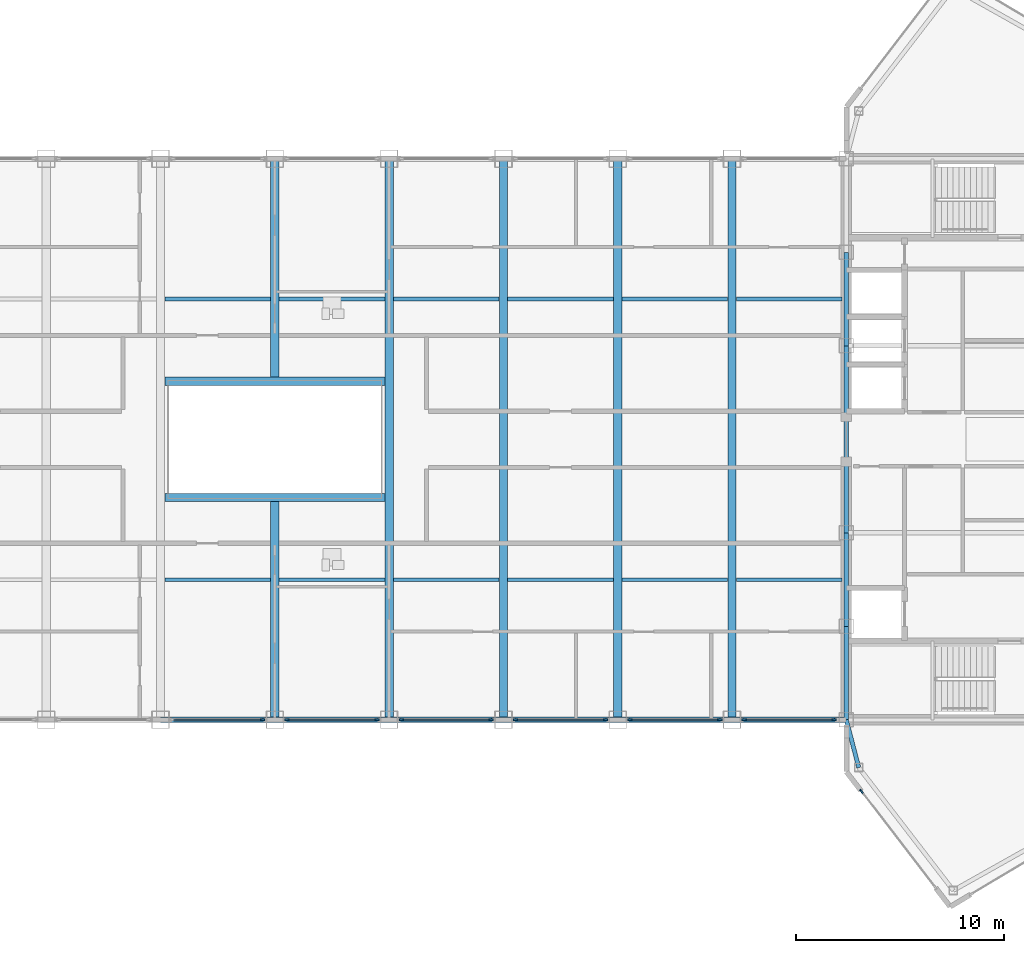
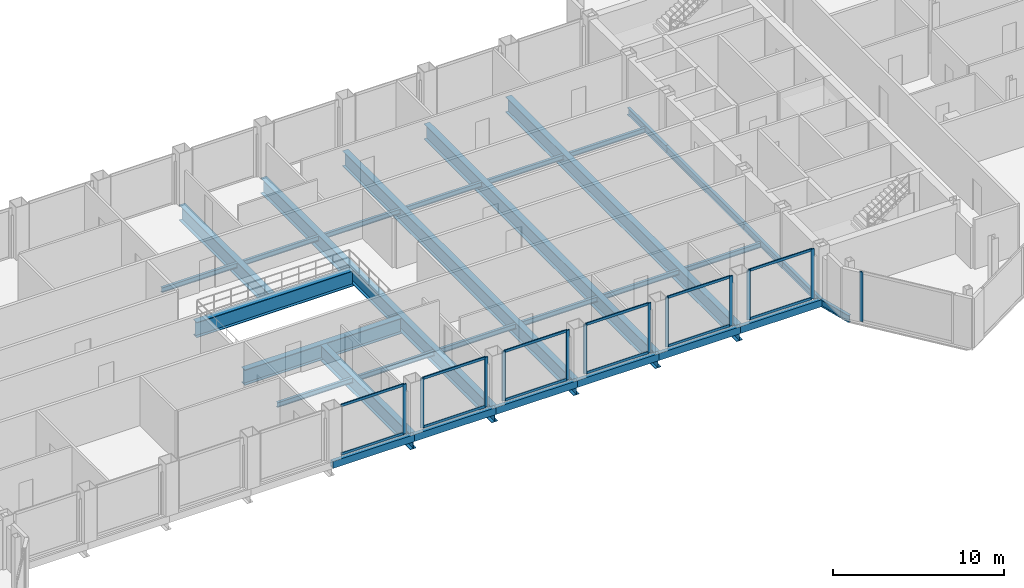
# One storey, part 13 of 29: 31 beams, 24 members, 7 elements without a shape of their own.
"""IFC4 building model written with IfcOpenShell, lengths in metres."""

from ifc_helpers import new_model, si_unit, direction, frame, origin, origin_2d, place, context, subcontext, project, spatial, rectangle, hollow_rectangle, i_section, extrude, source, transform, mapped, material, layer, layer_set, material_profile, profile_set, type_object, type_shapes, element, aggregate, save


model = new_model("IFC4")

# Units and contexts
model_context = context("Model", 3, precision=1e-05, world=origin(), true_north=direction((0.0, 1.0)))
body_context = subcontext(model_context, "Body", "Model", "MODEL_VIEW")
ifc_project = project(units=[si_unit("LENGTHUNIT", "METRE"), si_unit("AREAUNIT", "SQUARE_METRE"), si_unit("VOLUMEUNIT", "CUBIC_METRE"), si_unit("PLANEANGLEUNIT", "RADIAN"), si_unit("MASSUNIT", "GRAM", prefix="KILO")], contexts=[model_context])

# Site, building, storey
site_placement = place(None, origin())
site = spatial("IfcSite", under=ifc_project, at=site_placement, CompositionType="ELEMENT")
building_placement = place(site_placement, origin())
building = spatial("IfcBuilding", under=site, at=building_placement, Name="Seokmaru Belvedere", CompositionType="ELEMENT")
storey_placement = place(building_placement, frame((0.0, 0.0, 243.14990234375)))
storey = spatial("IfcBuildingStorey", under=building, at=storey_placement, Name="L64", CompositionType="ELEMENT", Elevation=243.14990234375)

# Beams
ifc_material_1 = material(Name="Steel SM355 (355 MPa)", Category="steel")
ifc_material_profile_1 = material_profile(ifc_material_1, i_section(OverallWidth=0.199951171875, OverallDepth=0.5, WebThickness=0.010009765625, FlangeThickness=0.01611328125, at=origin_2d()), Name="H-500x200x10x16")
ifc_profile_set_1 = profile_set([ifc_material_profile_1], Name="Steel SM355 (355 MPa)")
beam_type_1 = type_object("IfcBeamType", Name="Perimeter Spandrel Beam H-500", PredefinedType="SPANDREL", material=ifc_profile_set_1)
shared_shape_1 = source(origin(), body_context, "Body", "SweptSolid", [
    extrude(i_section(OverallWidth=0.199951171875, OverallDepth=0.5, WebThickness=0.010009765625, FlangeThickness=0.01611328125, at=origin_2d()), origin(), (0.0, 0.0, 1.0), 4.5),
])
for number, where, z_axis, x_axis, name in (
    (1, (27.5, -13.5, -0.469970703125), (0.0, 1.0, 0.0), (-1.0, 0.0, 0.0), "L64 E Portal Spine Spandrel 1"),
    (2, (27.5, -9.0, -0.469970703125), (0.0, 1.0, 0.0), (-1.0, 0.0, 0.0), "L64 E Portal Spine Spandrel 2"),
    (3, (27.5, 4.5, -0.469970703125), (0.0, 1.0, 0.0), (-1.0, 0.0, 0.0), "L64 E Portal Spine Spandrel 4"),
):
    element("IfcBeam", number, at=place(storey_placement, frame(where, z_axis=z_axis, x_axis=x_axis)), inside=storey, type_object=beam_type_1, Name=name, PredefinedType="SPANDREL", context=body_context, shape_type="MappedRepresentation", body=[
        mapped(shared_shape_1, transform((0.0, 0.0, 0.0), scale=1.0)),
    ])
shared_shape_2 = source(origin(), body_context, "Body", "SweptSolid", [
    extrude(i_section(OverallWidth=0.199951171875, OverallDepth=0.5, WebThickness=0.010009765625, FlangeThickness=0.01611328125, at=origin_2d()), origin(), (0.0, 0.0, 1.0), 9.0),
])
beam_1_placement = place(storey_placement, frame((27.5, -4.5, -0.469970703125), z_axis=(0.0, 1.0, 0.0), x_axis=(-1.0, 0.0, 0.0)))
element("IfcBeam", 4, at=beam_1_placement, inside=storey, type_object=beam_type_1, Name="L64 E Portal Spine Spandrel 3", PredefinedType="SPANDREL", context=body_context, shape_type="MappedRepresentation", body=[
    mapped(shared_shape_2, transform((0.0, 0.0, 0.0), scale=1.0)),
])
shared_shape_3 = source(origin(), body_context, "Body", "SweptSolid", [
    extrude(i_section(OverallWidth=0.199951171875, OverallDepth=0.5, WebThickness=0.010009765625, FlangeThickness=0.01611328125, at=origin_2d()), origin(), (0.0, 0.0, 1.0), 2.373046875),
])
type_shapes(beam_type_1, [shared_shape_1, shared_shape_2, shared_shape_3])
beam_2_placement = place(storey_placement, frame((28.10009765625, -15.7958984375, -0.469970703125), z_axis=(-0.252882558842, 0.967496982648, 0.0), x_axis=(-0.967496982648, -0.252882558842, 0.0)))
element("IfcBeam", 5, at=beam_2_placement, inside=storey, type_object=beam_type_1, Name="L64 E Shoulder Spine Spandrel S", PredefinedType="SPANDREL", context=body_context, shape_type="MappedRepresentation", body=[
    mapped(shared_shape_3, transform((0.0, 0.0, 0.0), scale=1.0)),
])
ifc_material_profile_2 = material_profile(ifc_material_1, i_section(OverallWidth=0.39990234375, OverallDepth=1.10009765625, WebThickness=0.02001953125, FlangeThickness=0.033935546875, at=origin_2d()), Name="BH-1100x400x20x34")
ifc_profile_set_2 = profile_set([ifc_material_profile_2], Name="Steel SM355 (355 MPa)")
beam_type_2 = type_object("IfcBeamType", Name="Sky-Gate Transverse Girder BH-1100", PredefinedType="BEAM", material=ifc_profile_set_2)
shared_shape_4 = source(origin(), body_context, "Body", "SweptSolid", [
    extrude(i_section(OverallWidth=0.39990234375, OverallDepth=1.10009765625, WebThickness=0.02001953125, FlangeThickness=0.033935546875, at=origin_2d()), origin(), (0.0, 0.0, 1.0), 27.0),
])
for number, where, z_axis, x_axis, name in (
    (6, (5.5, -13.5, -0.77001953125), (0.0, 1.0, 0.0), (-1.0, 0.0, 0.0), "L64 Sky-Gate Transverse Girder 06"),
    (7, (11.0, -13.5, -0.77001953125), (0.0, 1.0, 0.0), (-1.0, 0.0, 0.0), "L64 Sky-Gate Transverse Girder 07"),
    (8, (16.5, -13.5, -0.77001953125), (0.0, 1.0, 0.0), (-1.0, 0.0, 0.0), "L64 Sky-Gate Transverse Girder 08"),
    (9, (22.0, -13.5, -0.77001953125), (0.0, 1.0, 0.0), (-1.0, 0.0, 0.0), "L64 Sky-Gate Transverse Girder 09"),
):
    element("IfcBeam", number, at=place(storey_placement, frame(where, z_axis=z_axis, x_axis=x_axis)), inside=storey, type_object=beam_type_2, Name=name, PredefinedType="BEAM", context=body_context, shape_type="MappedRepresentation", body=[
        mapped(shared_shape_4, transform((0.0, 0.0, 0.0), scale=1.0)),
    ])
ifc_material_profile_3 = material_profile(ifc_material_1, i_section(OverallWidth=0.175048828125, OverallDepth=0.35009765625, WebThickness=0.007080078125, FlangeThickness=0.010986328125, at=origin_2d()), Name="H-350x175x7x11")
ifc_profile_set_3 = profile_set([ifc_material_profile_3], Name="Steel SM355 (355 MPa)")
beam_type_3 = type_object("IfcBeamType", Name="Secondary Floor Joist H-300", PredefinedType="JOIST", material=ifc_profile_set_3)
shared_shape_5 = source(origin(), body_context, "Body", "SweptSolid", [
    extrude(i_section(OverallWidth=0.175048828125, OverallDepth=0.35009765625, WebThickness=0.007080078125, FlangeThickness=0.010986328125, at=origin_2d()), origin(), (0.0, 0.0, 1.0), 5.08984375),
])
type_shapes(beam_type_3, [shared_shape_5])
for number, where, z_axis, x_axis, name in (
    (10, (-5.294921875, -6.75, -0.39501953125), (1.0, 0.0, 0.0), (0.0, 1.0, 0.0), "L64 Sky-Gate Secondary Joist S-05"),
    (11, (0.205078125, -6.75, -0.39501953125), (1.0, 0.0, 0.0), (0.0, 1.0, 0.0), "L64 Sky-Gate Secondary Joist S-06"),
    (12, (5.705078125, -6.75, -0.39501953125), (1.0, 0.0, 0.0), (0.0, 1.0, 0.0), "L64 Sky-Gate Secondary Joist S-07"),
    (13, (11.205078125, -6.75, -0.39501953125), (1.0, 0.0, 0.0), (0.0, 1.0, 0.0), "L64 Sky-Gate Secondary Joist S-08"),
    (14, (16.705078125, -6.75, -0.39501953125), (1.0, 0.0, 0.0), (0.0, 1.0, 0.0), "L64 Sky-Gate Secondary Joist S-09"),
    (15, (22.205078125, -6.75, -0.39501953125), (1.0, 0.0, 0.0), (0.0, 1.0, 0.0), "L64 Sky-Gate Secondary Joist S-10"),
    (16, (-5.294921875, 6.75, -0.39501953125), (1.0, 0.0, 0.0), (0.0, 1.0, 0.0), "L64 Sky-Gate Secondary Joist N-05"),
    (17, (0.205078125, 6.75, -0.39501953125), (1.0, 0.0, 0.0), (0.0, 1.0, 0.0), "L64 Sky-Gate Secondary Joist N-06"),
    (18, (5.705078125, 6.75, -0.39501953125), (1.0, 0.0, 0.0), (0.0, 1.0, 0.0), "L64 Sky-Gate Secondary Joist N-07"),
    (19, (11.205078125, 6.75, -0.39501953125), (1.0, 0.0, 0.0), (0.0, 1.0, 0.0), "L64 Sky-Gate Secondary Joist N-08"),
    (20, (16.705078125, 6.75, -0.39501953125), (1.0, 0.0, 0.0), (0.0, 1.0, 0.0), "L64 Sky-Gate Secondary Joist N-09"),
    (21, (22.205078125, 6.75, -0.39501953125), (1.0, 0.0, 0.0), (0.0, 1.0, 0.0), "L64 Sky-Gate Secondary Joist N-10"),
):
    element("IfcBeam", number, at=place(storey_placement, frame(where, z_axis=z_axis, x_axis=x_axis)), inside=storey, type_object=beam_type_3, Name=name, PredefinedType="JOIST", context=body_context, shape_type="MappedRepresentation", body=[
        mapped(shared_shape_5, transform((0.0, 0.0, 0.0), scale=1.0)),
    ])
shared_shape_6 = source(origin(), body_context, "Body", "SweptSolid", [
    extrude(i_section(OverallWidth=0.39990234375, OverallDepth=1.10009765625, WebThickness=0.02001953125, FlangeThickness=0.033935546875, at=origin_2d()), origin(), (0.0, 0.0, 1.0), 10.58984375),
])
for number, where, z_axis, x_axis, name in (
    (22, (-5.294921875, -2.800048828125, -0.77001953125), (1.0, 0.0, 0.0), (0.0, 1.0, 0.0), "L64 Sky-Gate Atrium Header Girder S"),
    (23, (-5.294921875, 2.800048828125, -0.77001953125), (1.0, 0.0, 0.0), (0.0, 1.0, 0.0), "L64 Sky-Gate Atrium Header Girder N"),
):
    element("IfcBeam", number, at=place(storey_placement, frame(where, z_axis=z_axis, x_axis=x_axis)), inside=storey, type_object=beam_type_2, Name=name, PredefinedType="BEAM", context=body_context, shape_type="MappedRepresentation", body=[
        mapped(shared_shape_6, transform((0.0, 0.0, 0.0), scale=1.0)),
    ])
ifc_material_profile_4 = material_profile(ifc_material_1, hollow_rectangle(XDim=0.25, YDim=0.5, WallThickness=0.013916015625, at=origin_2d()), Name="RHS-500x250x14")
ifc_profile_set_4 = profile_set([ifc_material_profile_4], Name="Steel SM355 (355 MPa)")
beam_type_4 = type_object("IfcBeamType", Name="Bridge Edge Spandrel RHS-500", PredefinedType="SPANDREL", material=ifc_profile_set_4)
shared_shape_7 = source(origin(), body_context, "Body", "SweptSolid", [
    extrude(hollow_rectangle(XDim=0.25, YDim=0.5, WallThickness=0.013916015625, at=origin_2d()), origin(), (0.0, 0.0, 1.0), 5.5),
])
type_shapes(beam_type_4, [shared_shape_7])
for number, where, z_axis, x_axis, name in (
    (24, (-5.5, -13.5, -0.469970703125), (1.0, 0.0, 0.0), (0.0, 1.0, 0.0), "L64 Sky-Gate Bridge Edge Girder S-05"),
    (25, (0.0, -13.5, -0.469970703125), (1.0, 0.0, 0.0), (0.0, 1.0, 0.0), "L64 Sky-Gate Bridge Edge Girder S-06"),
    (26, (5.5, -13.5, -0.469970703125), (1.0, 0.0, 0.0), (0.0, 1.0, 0.0), "L64 Sky-Gate Bridge Edge Girder S-07"),
    (27, (11.0, -13.5, -0.469970703125), (1.0, 0.0, 0.0), (0.0, 1.0, 0.0), "L64 Sky-Gate Bridge Edge Girder S-08"),
    (28, (16.5, -13.5, -0.469970703125), (1.0, 0.0, 0.0), (0.0, 1.0, 0.0), "L64 Sky-Gate Bridge Edge Girder S-09"),
    (29, (22.0, -13.5, -0.469970703125), (1.0, 0.0, 0.0), (0.0, 1.0, 0.0), "L64 Sky-Gate Bridge Edge Girder S-10"),
):
    element("IfcBeam", number, at=place(storey_placement, frame(where, z_axis=z_axis, x_axis=x_axis)), inside=storey, type_object=beam_type_4, Name=name, PredefinedType="SPANDREL", context=body_context, shape_type="MappedRepresentation", body=[
        mapped(shared_shape_7, transform((0.0, 0.0, 0.0), scale=1.0)),
    ])
shared_shape_8 = source(origin(), body_context, "Body", "SweptSolid", [
    extrude(i_section(OverallWidth=0.39990234375, OverallDepth=1.10009765625, WebThickness=0.02001953125, FlangeThickness=0.033935546875, at=origin_2d()), origin(), (0.0, 0.0, 1.0), 10.699951171875),
])
type_shapes(beam_type_2, [shared_shape_4, shared_shape_6, shared_shape_8])
for number, where, z_axis, x_axis, name in (
    (30, (0.0, -13.5, -0.77001953125), (0.0, 1.0, 0.0), (-1.0, 0.0, 0.0), "L64 Sky-Gate Trimmed Girder 5S"),
    (31, (0.0, 2.800048828125, -0.77001953125), (0.0, 1.0, 0.0), (-1.0, 0.0, 0.0), "L64 Sky-Gate Trimmed Girder 5N"),
):
    element("IfcBeam", number, at=place(storey_placement, frame(where, z_axis=z_axis, x_axis=x_axis)), inside=storey, type_object=beam_type_2, Name=name, PredefinedType="BEAM", context=body_context, shape_type="MappedRepresentation", body=[
        mapped(shared_shape_8, transform((0.0, 0.0, 0.0), scale=1.0)),
    ])

# Curtain wall, members
ifc_material_2 = material(Name="Bronze Triple Insulating Glass", Category="glass")
ifc_layer = layer(ifc_material_2, 0.219970703125)
ifc_layer_set = layer_set([ifc_layer], Name="Bronze Triple Insulating Glass")
curtain_wall_type = type_object("IfcCurtainWallType", Name="Sky-Gate Bridge Panorama Curtain Wall System CW-6", PredefinedType="NOTDEFINED", material=ifc_layer_set)
curtain_wall_1_placement = place(storey_placement, origin())
curtain_wall_1 = element("IfcCurtainWall", 32, at=curtain_wall_1_placement, inside=storey, type_object=curtain_wall_type, Name="L64 Curtain Wall BR_S05", PredefinedType="NOTDEFINED")
ifc_material_3 = material(Name="Anodised Bronze Aluminium", Category="aluminium")
ifc_material_profile_5 = material_profile(ifc_material_3, rectangle(XDim=0.074951171875, YDim=0.179931640625, at=origin_2d()), Name="CW-T-75x180")
ifc_profile_set_5 = profile_set([ifc_material_profile_5], Name="Anodised Bronze Aluminium")
member_type_1 = type_object("IfcMemberType", Name="Bronze Unitised Transom 75x180", PredefinedType="USERDEFINED", material=ifc_profile_set_5)
shared_shape_9 = source(origin(), body_context, "Body", "SweptSolid", [
    extrude(rectangle(XDim=0.074951171875, YDim=0.179931640625, at=origin_2d()), origin(), (0.0, 0.0, 1.0), 4.240234375),
])
type_shapes(member_type_1, [shared_shape_9])
member_1_placement = place(storey_placement, frame((-4.8701171875, -13.5, 0.03759765625), z_axis=(1.0, 0.0, 0.0), x_axis=(0.0, 1.0, 0.0)))
member_1 = element("IfcMember", 33, at=member_1_placement, type_object=member_type_1, Name="CW:L64:BR_S05 Continuous Transom 1", ObjectType="TRANSOM", PredefinedType="USERDEFINED", context=body_context, shape_type="MappedRepresentation", body=[
    mapped(shared_shape_9, transform((0.0, 0.0, 0.0), scale=1.0)),
])
member_2_placement = place(storey_placement, frame((-4.8701171875, -13.5, 3.49267578125), z_axis=(1.0, 0.0, 0.0), x_axis=(0.0, 1.0, 0.0)))
member_2 = element("IfcMember", 34, at=member_2_placement, type_object=member_type_1, Name="CW:L64:BR_S05 Continuous Transom 2", ObjectType="TRANSOM", PredefinedType="USERDEFINED", context=body_context, shape_type="MappedRepresentation", body=[
    mapped(shared_shape_9, transform((0.0, 0.0, 0.0), scale=1.0)),
])

curtain_wall_2_placement = place(storey_placement, origin())
curtain_wall_2 = element("IfcCurtainWall", 35, at=curtain_wall_2_placement, inside=storey, type_object=curtain_wall_type, Name="L64 Curtain Wall BR_S06", PredefinedType="NOTDEFINED")
member_3_placement = place(storey_placement, frame((0.6298828125, -13.5, 0.03759765625), z_axis=(1.0, 0.0, 0.0), x_axis=(0.0, 1.0, 0.0)))
member_3 = element("IfcMember", 36, at=member_3_placement, type_object=member_type_1, Name="CW:L64:BR_S06 Continuous Transom 1", ObjectType="TRANSOM", PredefinedType="USERDEFINED", context=body_context, shape_type="MappedRepresentation", body=[
    mapped(shared_shape_9, transform((0.0, 0.0, 0.0), scale=1.0)),
])
member_4_placement = place(storey_placement, frame((0.6298828125, -13.5, 3.49267578125), z_axis=(1.0, 0.0, 0.0), x_axis=(0.0, 1.0, 0.0)))
member_4 = element("IfcMember", 37, at=member_4_placement, type_object=member_type_1, Name="CW:L64:BR_S06 Continuous Transom 2", ObjectType="TRANSOM", PredefinedType="USERDEFINED", context=body_context, shape_type="MappedRepresentation", body=[
    mapped(shared_shape_9, transform((0.0, 0.0, 0.0), scale=1.0)),
])

curtain_wall_3_placement = place(storey_placement, origin())
curtain_wall_3 = element("IfcCurtainWall", 38, at=curtain_wall_3_placement, inside=storey, type_object=curtain_wall_type, Name="L64 Curtain Wall BR_S07", PredefinedType="NOTDEFINED")
member_5_placement = place(storey_placement, frame((6.1298828125, -13.5, 0.03759765625), z_axis=(1.0, 0.0, 0.0), x_axis=(0.0, 1.0, 0.0)))
member_5 = element("IfcMember", 39, at=member_5_placement, type_object=member_type_1, Name="CW:L64:BR_S07 Continuous Transom 1", ObjectType="TRANSOM", PredefinedType="USERDEFINED", context=body_context, shape_type="MappedRepresentation", body=[
    mapped(shared_shape_9, transform((0.0, 0.0, 0.0), scale=1.0)),
])
member_6_placement = place(storey_placement, frame((6.1298828125, -13.5, 3.49267578125), z_axis=(1.0, 0.0, 0.0), x_axis=(0.0, 1.0, 0.0)))
member_6 = element("IfcMember", 40, at=member_6_placement, type_object=member_type_1, Name="CW:L64:BR_S07 Continuous Transom 2", ObjectType="TRANSOM", PredefinedType="USERDEFINED", context=body_context, shape_type="MappedRepresentation", body=[
    mapped(shared_shape_9, transform((0.0, 0.0, 0.0), scale=1.0)),
])

curtain_wall_4_placement = place(storey_placement, origin())
curtain_wall_4 = element("IfcCurtainWall", 41, at=curtain_wall_4_placement, inside=storey, type_object=curtain_wall_type, Name="L64 Curtain Wall BR_S08", PredefinedType="NOTDEFINED")
member_7_placement = place(storey_placement, frame((11.6298828125, -13.5, 0.03759765625), z_axis=(1.0, 0.0, 0.0), x_axis=(0.0, 1.0, 0.0)))
member_7 = element("IfcMember", 42, at=member_7_placement, type_object=member_type_1, Name="CW:L64:BR_S08 Continuous Transom 1", ObjectType="TRANSOM", PredefinedType="USERDEFINED", context=body_context, shape_type="MappedRepresentation", body=[
    mapped(shared_shape_9, transform((0.0, 0.0, 0.0), scale=1.0)),
])
member_8_placement = place(storey_placement, frame((11.6298828125, -13.5, 3.49267578125), z_axis=(1.0, 0.0, 0.0), x_axis=(0.0, 1.0, 0.0)))
member_8 = element("IfcMember", 43, at=member_8_placement, type_object=member_type_1, Name="CW:L64:BR_S08 Continuous Transom 2", ObjectType="TRANSOM", PredefinedType="USERDEFINED", context=body_context, shape_type="MappedRepresentation", body=[
    mapped(shared_shape_9, transform((0.0, 0.0, 0.0), scale=1.0)),
])

curtain_wall_5_placement = place(storey_placement, origin())
curtain_wall_5 = element("IfcCurtainWall", 44, at=curtain_wall_5_placement, inside=storey, type_object=curtain_wall_type, Name="L64 Curtain Wall BR_S09", PredefinedType="NOTDEFINED")
member_9_placement = place(storey_placement, frame((17.1298828125, -13.5, 0.03759765625), z_axis=(1.0, 0.0, 0.0), x_axis=(0.0, 1.0, 0.0)))
member_9 = element("IfcMember", 45, at=member_9_placement, type_object=member_type_1, Name="CW:L64:BR_S09 Continuous Transom 1", ObjectType="TRANSOM", PredefinedType="USERDEFINED", context=body_context, shape_type="MappedRepresentation", body=[
    mapped(shared_shape_9, transform((0.0, 0.0, 0.0), scale=1.0)),
])
member_10_placement = place(storey_placement, frame((17.1298828125, -13.5, 3.49267578125), z_axis=(1.0, 0.0, 0.0), x_axis=(0.0, 1.0, 0.0)))
member_10 = element("IfcMember", 46, at=member_10_placement, type_object=member_type_1, Name="CW:L64:BR_S09 Continuous Transom 2", ObjectType="TRANSOM", PredefinedType="USERDEFINED", context=body_context, shape_type="MappedRepresentation", body=[
    mapped(shared_shape_9, transform((0.0, 0.0, 0.0), scale=1.0)),
])

curtain_wall_6_placement = place(storey_placement, origin())
curtain_wall_6 = element("IfcCurtainWall", 47, at=curtain_wall_6_placement, inside=storey, type_object=curtain_wall_type, Name="L64 Curtain Wall BR_S10", PredefinedType="NOTDEFINED")
member_11_placement = place(storey_placement, frame((22.6298828125, -13.5, 0.03759765625), z_axis=(1.0, 0.0, 0.0), x_axis=(0.0, 1.0, 0.0)))
member_11 = element("IfcMember", 48, at=member_11_placement, type_object=member_type_1, Name="CW:L64:BR_S10 Continuous Transom 1", ObjectType="TRANSOM", PredefinedType="USERDEFINED", context=body_context, shape_type="MappedRepresentation", body=[
    mapped(shared_shape_9, transform((0.0, 0.0, 0.0), scale=1.0)),
])
member_12_placement = place(storey_placement, frame((22.6298828125, -13.5, 3.49267578125), z_axis=(1.0, 0.0, 0.0), x_axis=(0.0, 1.0, 0.0)))
member_12 = element("IfcMember", 49, at=member_12_placement, type_object=member_type_1, Name="CW:L64:BR_S10 Continuous Transom 2", ObjectType="TRANSOM", PredefinedType="USERDEFINED", context=body_context, shape_type="MappedRepresentation", body=[
    mapped(shared_shape_9, transform((0.0, 0.0, 0.0), scale=1.0)),
])

# Curtain wall, member
curtain_wall_7_placement = place(storey_placement, origin())
curtain_wall_7 = element("IfcCurtainWall", 50, at=curtain_wall_7_placement, inside=storey, type_object=curtain_wall_type, Name="L64 Curtain Wall EF6", PredefinedType="NOTDEFINED")
ifc_material_profile_6 = material_profile(ifc_material_3, rectangle(XDim=0.080078125, YDim=0.219970703125, at=origin_2d()), Name="CW-M-80x220")
ifc_profile_set_6 = profile_set([ifc_material_profile_6], Name="Anodised Bronze Aluminium")
member_type_2 = type_object("IfcMemberType", Name="Bronze Unitised Mullion 80x220", PredefinedType="MULLION", material=ifc_profile_set_6)
shared_shape_10 = source(origin(), body_context, "Body", "SweptSolid", [
    extrude(rectangle(XDim=0.080078125, YDim=0.219970703125, at=origin_2d()), origin(), (0.0, 0.0, 1.0), 3.530029296875),
])
type_shapes(member_type_2, [shared_shape_10])
member_13_placement = place(storey_placement, frame((28.2255859375, -16.943115234375, 0.0), z_axis=(0.0, 0.0, 1.0), x_axis=(0.792631353244, 0.609701187349, 0.0)))
member_13 = element("IfcMember", 51, at=member_13_placement, type_object=member_type_2, Name="CW:L64:EF6 Mullion 1", PredefinedType="MULLION", context=body_context, shape_type="MappedRepresentation", body=[
    mapped(shared_shape_10, transform((0.0, 0.0, 0.0), scale=1.0)),
])
aggregate(curtain_wall_7, [member_13])

# Member
member_14_placement = place(storey_placement, frame((-0.590087890625, -13.5, 0.0), z_axis=(0.0, 0.0, 1.0), x_axis=(0.0, 1.0, 0.0)))
member_14 = element("IfcMember", 52, at=member_14_placement, type_object=member_type_2, Name="CW:L64:BR_S05 Mullion 2", PredefinedType="MULLION", context=body_context, shape_type="MappedRepresentation", body=[
    mapped(shared_shape_10, transform((0.0, 0.0, 0.0), scale=1.0)),
])

aggregate(curtain_wall_1, [member_14, member_1, member_2])

member_15_placement = place(storey_placement, frame((0.590087890625, -13.5, 0.0), z_axis=(0.0, 0.0, 1.0), x_axis=(0.0, 1.0, 0.0)))
member_15 = element("IfcMember", 53, at=member_15_placement, type_object=member_type_2, Name="CW:L64:BR_S06 Mullion 1", PredefinedType="MULLION", context=body_context, shape_type="MappedRepresentation", body=[
    mapped(shared_shape_10, transform((0.0, 0.0, 0.0), scale=1.0)),
])

member_16_placement = place(storey_placement, frame((4.909912109375, -13.5, 0.0), z_axis=(0.0, 0.0, 1.0), x_axis=(0.0, 1.0, 0.0)))
member_16 = element("IfcMember", 54, at=member_16_placement, type_object=member_type_2, Name="CW:L64:BR_S06 Mullion 2", PredefinedType="MULLION", context=body_context, shape_type="MappedRepresentation", body=[
    mapped(shared_shape_10, transform((0.0, 0.0, 0.0), scale=1.0)),
])

aggregate(curtain_wall_2, [member_15, member_16, member_3, member_4])

member_17_placement = place(storey_placement, frame((6.090087890625, -13.5, 0.0), z_axis=(0.0, 0.0, 1.0), x_axis=(0.0, 1.0, 0.0)))
member_17 = element("IfcMember", 55, at=member_17_placement, type_object=member_type_2, Name="CW:L64:BR_S07 Mullion 1", PredefinedType="MULLION", context=body_context, shape_type="MappedRepresentation", body=[
    mapped(shared_shape_10, transform((0.0, 0.0, 0.0), scale=1.0)),
])

member_18_placement = place(storey_placement, frame((10.409912109375, -13.5, 0.0), z_axis=(0.0, 0.0, 1.0), x_axis=(0.0, 1.0, 0.0)))
member_18 = element("IfcMember", 56, at=member_18_placement, type_object=member_type_2, Name="CW:L64:BR_S07 Mullion 2", PredefinedType="MULLION", context=body_context, shape_type="MappedRepresentation", body=[
    mapped(shared_shape_10, transform((0.0, 0.0, 0.0), scale=1.0)),
])

aggregate(curtain_wall_3, [member_17, member_18, member_5, member_6])

member_19_placement = place(storey_placement, frame((11.590087890625, -13.5, 0.0), z_axis=(0.0, 0.0, 1.0), x_axis=(0.0, 1.0, 0.0)))
member_19 = element("IfcMember", 57, at=member_19_placement, type_object=member_type_2, Name="CW:L64:BR_S08 Mullion 1", PredefinedType="MULLION", context=body_context, shape_type="MappedRepresentation", body=[
    mapped(shared_shape_10, transform((0.0, 0.0, 0.0), scale=1.0)),
])

member_20_placement = place(storey_placement, frame((15.909912109375, -13.5, 0.0), z_axis=(0.0, 0.0, 1.0), x_axis=(0.0, 1.0, 0.0)))
member_20 = element("IfcMember", 58, at=member_20_placement, type_object=member_type_2, Name="CW:L64:BR_S08 Mullion 2", PredefinedType="MULLION", context=body_context, shape_type="MappedRepresentation", body=[
    mapped(shared_shape_10, transform((0.0, 0.0, 0.0), scale=1.0)),
])

aggregate(curtain_wall_4, [member_19, member_20, member_7, member_8])

member_21_placement = place(storey_placement, frame((17.090087890625, -13.5, 0.0), z_axis=(0.0, 0.0, 1.0), x_axis=(0.0, 1.0, 0.0)))
member_21 = element("IfcMember", 59, at=member_21_placement, type_object=member_type_2, Name="CW:L64:BR_S09 Mullion 1", PredefinedType="MULLION", context=body_context, shape_type="MappedRepresentation", body=[
    mapped(shared_shape_10, transform((0.0, 0.0, 0.0), scale=1.0)),
])

member_22_placement = place(storey_placement, frame((21.409912109375, -13.5, 0.0), z_axis=(0.0, 0.0, 1.0), x_axis=(0.0, 1.0, 0.0)))
member_22 = element("IfcMember", 60, at=member_22_placement, type_object=member_type_2, Name="CW:L64:BR_S09 Mullion 2", PredefinedType="MULLION", context=body_context, shape_type="MappedRepresentation", body=[
    mapped(shared_shape_10, transform((0.0, 0.0, 0.0), scale=1.0)),
])

aggregate(curtain_wall_5, [member_21, member_22, member_9, member_10])

member_23_placement = place(storey_placement, frame((22.590087890625, -13.5, 0.0), z_axis=(0.0, 0.0, 1.0), x_axis=(0.0, 1.0, 0.0)))
member_23 = element("IfcMember", 61, at=member_23_placement, type_object=member_type_2, Name="CW:L64:BR_S10 Mullion 1", PredefinedType="MULLION", context=body_context, shape_type="MappedRepresentation", body=[
    mapped(shared_shape_10, transform((0.0, 0.0, 0.0), scale=1.0)),
])

member_24_placement = place(storey_placement, frame((26.909912109375, -13.5, 0.0), z_axis=(0.0, 0.0, 1.0), x_axis=(0.0, 1.0, 0.0)))
member_24 = element("IfcMember", 62, at=member_24_placement, type_object=member_type_2, Name="CW:L64:BR_S10 Mullion 2", PredefinedType="MULLION", context=body_context, shape_type="MappedRepresentation", body=[
    mapped(shared_shape_10, transform((0.0, 0.0, 0.0), scale=1.0)),
])

aggregate(curtain_wall_6, [member_23, member_24, member_11, member_12])

save(model, "model.ifc")
